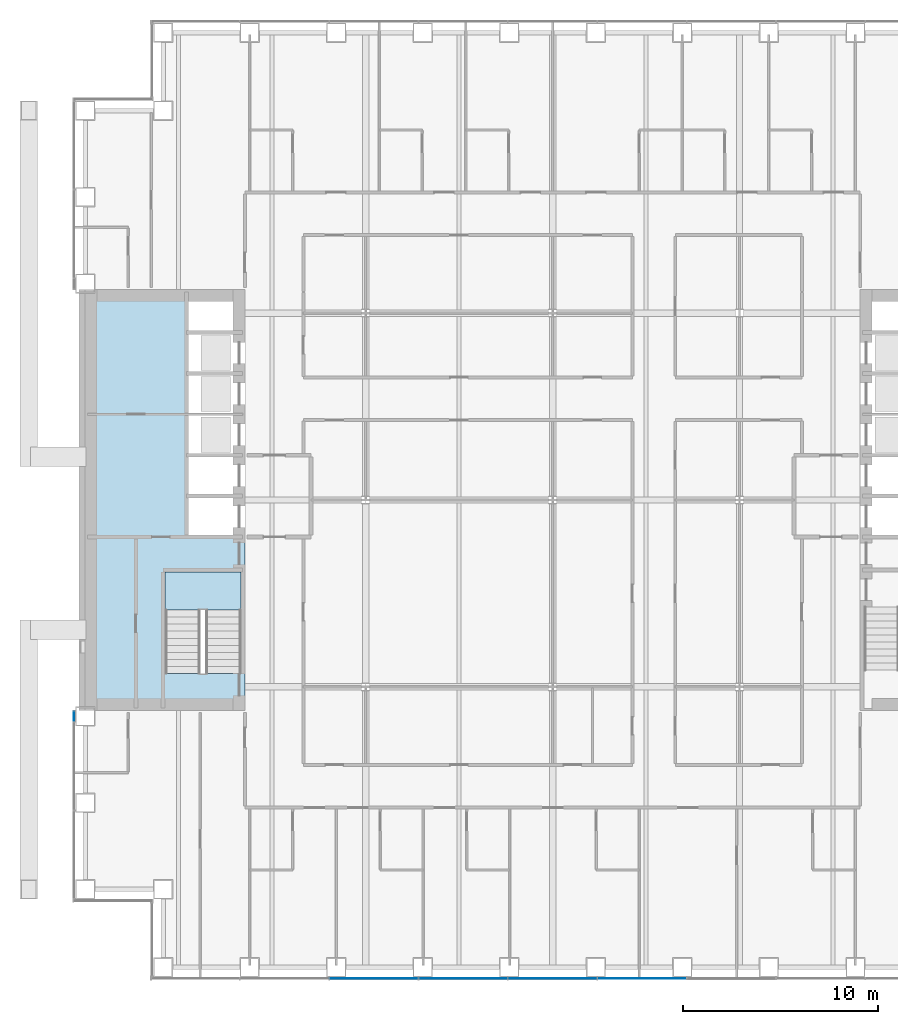
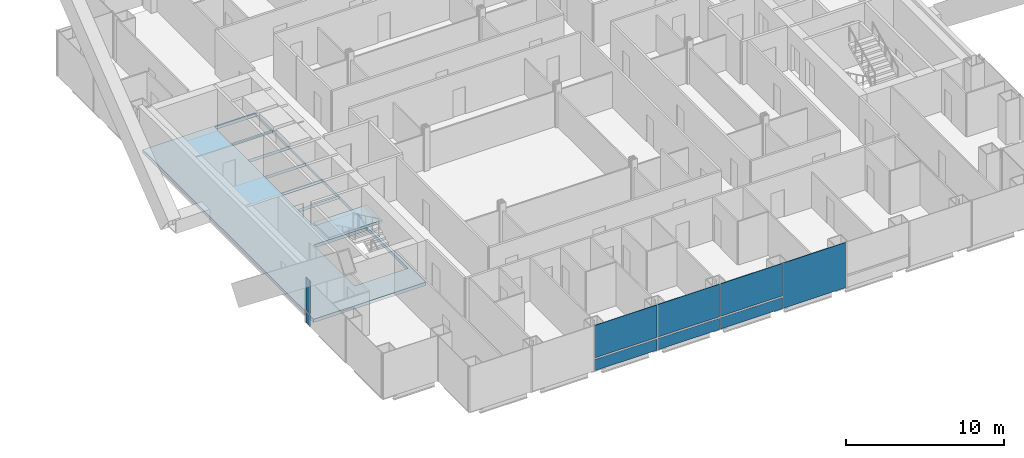
# One storey, part 12 of 23: 9 plates, 2 slabs, 3 elements without a shape of their own.
"""IFC4 building model written with IfcOpenShell, lengths in metres."""

from ifc_helpers import new_model, si_unit, direction, frame, origin, origin_2d, place, context, subcontext, project, spatial, polyline, rectangle, outline, extrude, material, layer, layer_set, type_object, element, aggregate, save


model = new_model("IFC4")

# Units and contexts
model_context = context("Model", 3, precision=1e-05, world=origin(), true_north=direction((0.0, 1.0)))
body_context = subcontext(model_context, "Body", "Model", "MODEL_VIEW")
ifc_project = project(units=[si_unit("LENGTHUNIT", "METRE"), si_unit("AREAUNIT", "SQUARE_METRE"), si_unit("VOLUMEUNIT", "CUBIC_METRE"), si_unit("PLANEANGLEUNIT", "RADIAN"), si_unit("MASSUNIT", "GRAM", prefix="KILO")], contexts=[model_context])

# Site, building, storey
site_placement = place(None, origin())
site = spatial("IfcSite", under=ifc_project, at=site_placement, CompositionType="ELEMENT")
building_placement = place(site_placement, origin())
building = spatial("IfcBuilding", under=site, at=building_placement, Name="Cobrizo Arcos Hotel Tower", CompositionType="ELEMENT")
storey_placement = place(building_placement, frame((0.0, 0.0, 56.5)))
storey = spatial("IfcBuildingStorey", under=building, at=storey_placement, Name="L12", CompositionType="ELEMENT", Elevation=56.5)

# Curtain wall, plates
ifc_material_1 = material(Name="Aluminium 6063-T6 anodised bronze", Category="aluminium")
curtain_wall_type = type_object("IfcCurtainWallType", Name="CW-A guest facade", PredefinedType="NOTDEFINED", material=ifc_material_1)
curtain_wall_1_placement = place(storey_placement, origin())
curtain_wall_1 = element("IfcCurtainWall", 1, at=curtain_wall_1_placement, inside=storey, type_object=curtain_wall_type, Name="CW-A L12 S face", PredefinedType="NOTDEFINED")
ifc_material_2 = material(Name="Glass clear laminated low-e", Category="glass")
ifc_layer_1 = layer(ifc_material_2, 0.0400390625)
ifc_layer_set_1 = layer_set([ifc_layer_1], Name="CW-A glass panel")
plate_type_1 = type_object("IfcPlateType", Name="CW-A glass panel", PredefinedType="CURTAIN_PANEL", material=ifc_layer_set_1)
plate_1_placement = place(storey_placement, frame((-9.177734375, -24.574951171875, 0.990234375), z_axis=(0.0, 0.0, 1.0), x_axis=(1.0, 0.0, 0.0)))
plate_1 = element("IfcPlate", 2, at=plate_1_placement, type_object=plate_type_1, Name="CW-A glass panel 553", PredefinedType="CURTAIN_PANEL", context=body_context, shape_type="SweptSolid", body=[
    extrude(rectangle(XDim=4.52880859375, YDim=0.0400390625, at=origin_2d()), origin(), (0.0, 0.0, 1.0), 2.510009765625),
])
plate_2_placement = place(storey_placement, frame((-4.5888671875, -24.574951171875, 0.990234375), z_axis=(0.0, 0.0, 1.0), x_axis=(1.0, 0.0, 0.0)))
plate_2 = element("IfcPlate", 3, at=plate_2_placement, type_object=plate_type_1, Name="CW-A glass panel 554", PredefinedType="CURTAIN_PANEL", context=body_context, shape_type="SweptSolid", body=[
    extrude(rectangle(XDim=4.52880859375, YDim=0.0400390625, at=origin_2d()), origin(), (0.0, 0.0, 1.0), 2.510009765625),
])
plate_3_placement = place(storey_placement, frame((0.0, -24.574951171875, 0.990234375), z_axis=(0.0, 0.0, 1.0), x_axis=(1.0, 0.0, 0.0)))
plate_3 = element("IfcPlate", 4, at=plate_3_placement, type_object=plate_type_1, Name="CW-A glass panel 555", PredefinedType="CURTAIN_PANEL", context=body_context, shape_type="SweptSolid", body=[
    extrude(rectangle(XDim=4.52880859375, YDim=0.0400390625, at=origin_2d()), origin(), (0.0, 0.0, 1.0), 2.510009765625),
])

# Curtain wall, plate
curtain_wall_2_placement = place(storey_placement, origin())
curtain_wall_2 = element("IfcCurtainWall", 5, at=curtain_wall_2_placement, inside=storey, type_object=curtain_wall_type, Name="CW-A L12 W face", PredefinedType="NOTDEFINED")
plate_4_placement = place(storey_placement, frame((-24.574951171875, -11.109375, 0.990234375), z_axis=(0.0, 0.0, 1.0), x_axis=(0.0, -1.0, 0.0)))
plate_4 = element("IfcPlate", 6, at=plate_4_placement, type_object=plate_type_1, Name="CW-A glass panel 584", PredefinedType="CURTAIN_PANEL", context=body_context, shape_type="SweptSolid", body=[
    extrude(rectangle(XDim=0.498779296875, YDim=0.0400390625, at=origin_2d()), origin(), (0.0, 0.0, 1.0), 2.510009765625),
])

# Plate
ifc_material_3 = material(Name="Aluminium composite panel pale metal", Category="aluminium")
ifc_layer_2 = layer(ifc_material_3, 0.0400390625)
ifc_layer_set_2 = layer_set([ifc_layer_2], Name="CW-A spandrel panel")
plate_type_2 = type_object("IfcPlateType", Name="CW-A spandrel panel", PredefinedType="CURTAIN_PANEL", material=ifc_layer_set_2)
plate_5_placement = place(storey_placement, frame((-9.177734375, -24.574951171875, 0.0), z_axis=(0.0, 0.0, 1.0), x_axis=(1.0, 0.0, 0.0)))
plate_5 = element("IfcPlate", 7, at=plate_5_placement, type_object=plate_type_2, Name="CW-A spandrel panel 553", PredefinedType="CURTAIN_PANEL", context=body_context, shape_type="SweptSolid", body=[
    extrude(rectangle(XDim=4.52880859375, YDim=0.0400390625, at=origin_2d()), origin(), (0.0, 0.0, 1.0), 0.8701171875),
])

plate_6_placement = place(storey_placement, frame((-4.5888671875, -24.574951171875, 0.0), z_axis=(0.0, 0.0, 1.0), x_axis=(1.0, 0.0, 0.0)))
plate_6 = element("IfcPlate", 8, at=plate_6_placement, type_object=plate_type_2, Name="CW-A spandrel panel 554", PredefinedType="CURTAIN_PANEL", context=body_context, shape_type="SweptSolid", body=[
    extrude(rectangle(XDim=4.52880859375, YDim=0.0400390625, at=origin_2d()), origin(), (0.0, 0.0, 1.0), 0.8701171875),
])

plate_7_placement = place(storey_placement, frame((0.0, -24.574951171875, 0.0), z_axis=(0.0, 0.0, 1.0), x_axis=(1.0, 0.0, 0.0)))
plate_7 = element("IfcPlate", 9, at=plate_7_placement, type_object=plate_type_2, Name="CW-A spandrel panel 555", PredefinedType="CURTAIN_PANEL", context=body_context, shape_type="SweptSolid", body=[
    extrude(rectangle(XDim=4.52880859375, YDim=0.0400390625, at=origin_2d()), origin(), (0.0, 0.0, 1.0), 0.8701171875),
])

plate_8_placement = place(storey_placement, frame((4.5888671875, -24.574951171875, 0.0), z_axis=(0.0, 0.0, 1.0), x_axis=(1.0, 0.0, 0.0)))
plate_8 = element("IfcPlate", 10, at=plate_8_placement, type_object=plate_type_2, Name="CW-A spandrel panel 556", PredefinedType="CURTAIN_PANEL", context=body_context, shape_type="SweptSolid", body=[
    extrude(rectangle(XDim=4.52880859375, YDim=0.0400390625, at=origin_2d()), origin(), (0.0, 0.0, 1.0), 3.5),
])

aggregate(curtain_wall_1, [plate_5, plate_1, plate_6, plate_2, plate_7, plate_3, plate_8])

plate_9_placement = place(storey_placement, frame((-24.574951171875, -11.109375, 0.0), z_axis=(0.0, 0.0, 1.0), x_axis=(0.0, -1.0, 0.0)))
plate_9 = element("IfcPlate", 11, at=plate_9_placement, type_object=plate_type_2, Name="CW-A spandrel panel 584", PredefinedType="CURTAIN_PANEL", context=body_context, shape_type="SweptSolid", body=[
    extrude(rectangle(XDim=0.498779296875, YDim=0.0400390625, at=origin_2d()), origin(), (0.0, 0.0, 1.0), 0.8701171875),
])

aggregate(curtain_wall_2, [plate_9, plate_4])

# Slab
ifc_material_4 = material(Name="Concrete f'c 60 MPa", Category="concrete")
ifc_layer_3 = layer(ifc_material_4, 0.25)
ifc_layer_set_3 = layer_set([ifc_layer_3], Name="RC core floor slab 250 f'c 60")
slab_type_1 = type_object("IfcSlabType", Name="RC core floor slab 250 f'c 60", PredefinedType="FLOOR", material=ifc_layer_set_3)
slab_1_placement = place(storey_placement, frame((0.0, 0.0, -0.25)))
element("IfcSlab", 12, at=slab_1_placement, inside=storey, type_object=slab_type_1, Name="Core floor slab CS3, west core, L12", PredefinedType="FLOOR", context=body_context, shape_type="SweptSolid", body=[
    extrude(outline(polyline([(-24.0, 10.800048828125), (-15.800048828125, 10.800048828125), (-15.800048828125, -10.800048828125), (-24.0, -10.800048828125), (-24.0, 10.800048828125)]), holes=[polyline([(-19.89794921875, -3.701904296875), (-19.89794921875, -8.89794921875), (-16.001953125, -8.89794921875), (-16.001953125, -3.701904296875), (-19.89794921875, -3.701904296875)]), polyline([(-18.798095703125, 0.197998046875), (-18.798095703125, -1.89794921875), (-15.802001953125, -1.89794921875), (-15.802001953125, 0.197998046875), (-18.798095703125, 0.197998046875)]), polyline([(-15.802001953125, 2.298095703125), (-18.798095703125, 2.298095703125), (-18.798095703125, 0.201904296875), (-15.802001953125, 0.201904296875), (-15.802001953125, 2.298095703125)]), polyline([(-15.802001953125, 4.39794921875), (-18.798095703125, 4.39794921875), (-18.798095703125, 2.302001953125), (-15.802001953125, 2.302001953125), (-15.802001953125, 4.39794921875)]), polyline([(-18.798095703125, 6.498046875), (-18.798095703125, 4.402099609375), (-15.802001953125, 4.402099609375), (-15.802001953125, 6.498046875), (-18.798095703125, 6.498046875)]), polyline([(-15.802001953125, 8.597900390625), (-18.798095703125, 8.597900390625), (-18.798095703125, 6.501953125), (-15.802001953125, 6.501953125), (-15.802001953125, 8.597900390625)]), polyline([(-15.802001953125, 10.697998046875), (-18.798095703125, 10.697998046875), (-18.798095703125, 8.60205078125), (-15.802001953125, 8.60205078125), (-15.802001953125, 10.697998046875)])]), origin(), (0.0, 0.0, 1.0), 0.25),
])

# Stair, slab
ifc_material_5 = material(Name="Concrete f'c 40 MPa", Category="concrete")
stair_type = type_object("IfcStairType", Name="Exit stair", PredefinedType="HALF_TURN_STAIR", material=ifc_material_5)
stair_placement = place(storey_placement, origin())
stair = element("IfcStair", 13, at=stair_placement, inside=storey, type_object=stair_type, Name="L12 Exit stair ST-W", PredefinedType="HALF_TURN_STAIR")
ifc_layer_4 = layer(ifc_material_5, 0.199951171875)
ifc_layer_set_4 = layer_set([ifc_layer_4], Name="Stair landing")
slab_type_2 = type_object("IfcSlabType", Name="Stair landing", PredefinedType="LANDING", material=ifc_layer_set_4)
slab_2_placement = place(storey_placement, frame((0.0, 0.0, 1.550048828125)))
slab_2 = element("IfcSlab", 14, at=slab_2_placement, type_object=slab_type_2, Name="ST-W landing 1", PredefinedType="LANDING", context=body_context, shape_type="SweptSolid", body=[
    extrude(outline(polyline([(-16.0, -5.659912109375), (-16.0, -3.699951171875), (-19.89990234375, -3.699951171875), (-19.89990234375, -5.659912109375), (-16.0, -5.659912109375)])), origin(), (0.0, 0.0, 1.0), 0.199951171875),
])
aggregate(stair, [slab_2])

save(model, "model.ifc")
